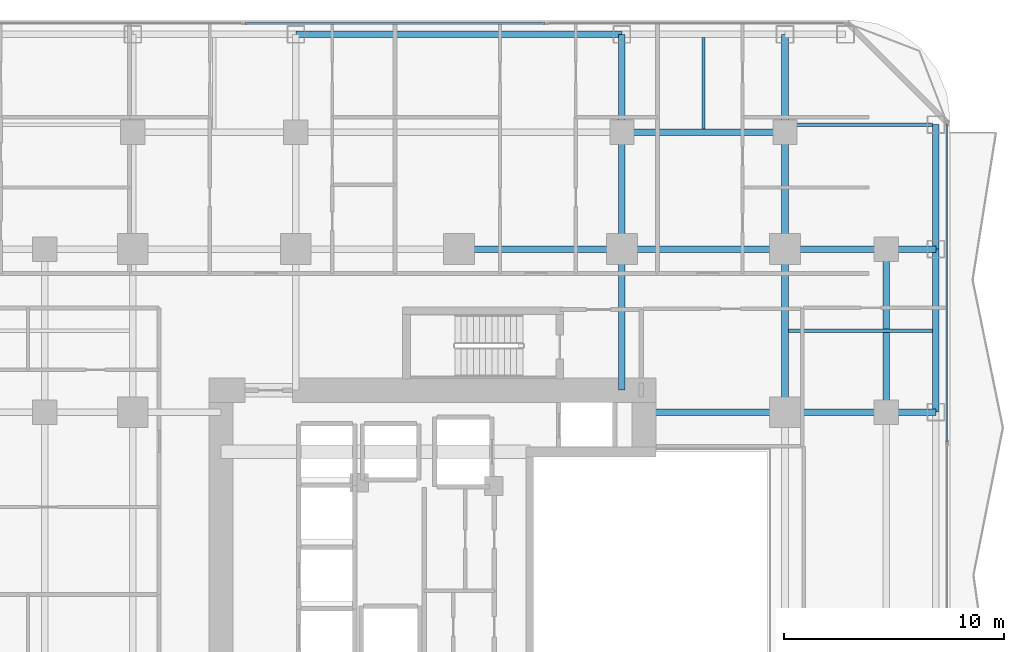
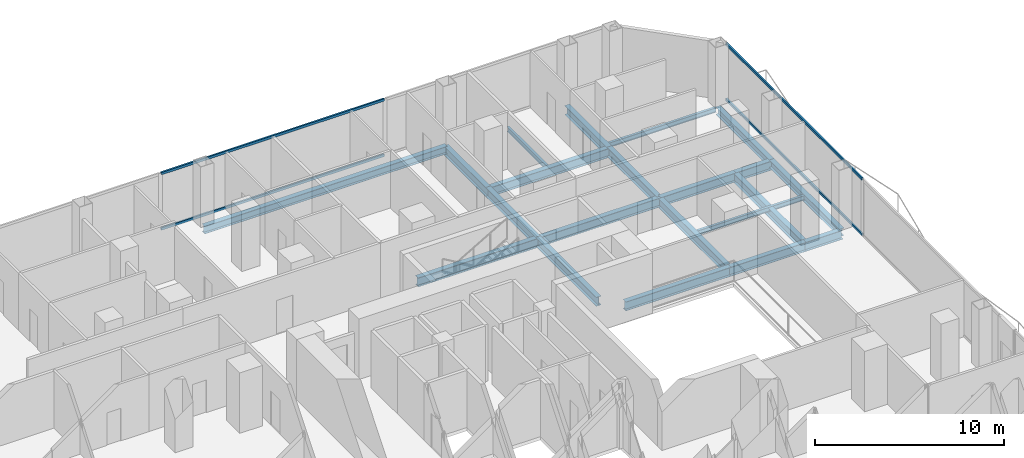
# One storey, part 16 of 29: 21 beams, 4 members, 2 elements without a shape of their own.
"""IFC4 building model written with IfcOpenShell, lengths in metres."""

from ifc_helpers import new_model, si_unit, direction, frame, origin, origin_2d, place, context, subcontext, project, spatial, hollow_rectangle, i_section, extrude, material, layer, layer_set, material_profile, profile_set, type_object, element, aggregate, save


model = new_model("IFC4")

# Units and contexts
model_context = context("Model", 3, precision=1e-05, world=origin(), true_north=direction((0.0, 1.0)))
body_context = subcontext(model_context, "Body", "Model", "MODEL_VIEW")
ifc_project = project(units=[si_unit("LENGTHUNIT", "METRE"), si_unit("AREAUNIT", "SQUARE_METRE"), si_unit("VOLUMEUNIT", "CUBIC_METRE"), si_unit("PLANEANGLEUNIT", "RADIAN"), si_unit("MASSUNIT", "GRAM", prefix="KILO")], contexts=[model_context])

# Site, building, storey
site_placement = place(None, origin())
site = spatial("IfcSite", under=ifc_project, at=site_placement, CompositionType="ELEMENT")
building_placement = place(site_placement, origin())
building = spatial("IfcBuilding", under=site, at=building_placement, Name="Khorvyn Point Tower", CompositionType="ELEMENT")
storey_placement = place(building_placement, frame((0.0, 0.0, 69.60009765625)))
storey = spatial("IfcBuildingStorey", under=building, at=storey_placement, Name="L18", CompositionType="ELEMENT", Elevation=69.60009765625)

# Curtain wall, members
ifc_material_1 = material(Name="Anodised aluminium 6063-T6 and laminated Low-E glass", Category="aluminium")
ifc_layer = layer(ifc_material_1, 0.18994140625)
ifc_layer_set = layer_set([ifc_layer], Name="Stick-Built Finned Residential Curtain Wall CW-SYS-02")
curtain_wall_type = type_object("IfcCurtainWallType", Name="Stick-Built Finned Residential Curtain Wall CW-SYS-02", PredefinedType="NOTDEFINED", material=ifc_layer_set)
curtain_wall_1_placement = place(storey_placement, origin())
curtain_wall_1 = element("IfcCurtainWall", 1, at=curtain_wall_1_placement, inside=storey, type_object=curtain_wall_type, Name="Curtain Wall", PredefinedType="NOTDEFINED")
ifc_material_2 = material(Name="Anodised aluminium 6063-T6", Category="aluminium")
ifc_material_profile_1 = material_profile(ifc_material_2, hollow_rectangle(XDim=0.10009765625, YDim=0.159912109375, WallThickness=0.00439453125, at=origin_2d()))
ifc_profile_set_1 = profile_set([ifc_material_profile_1], Name="Anodised aluminium 6063-T6 ALU-TRN-100x160")
member_type = type_object("IfcMemberType", Name="Anodised Aluminium 6063-T6 Transom ALU-TRN-100x160", PredefinedType="USERDEFINED", material=ifc_profile_set_1)
member_1_placement = place(storey_placement, frame((-9.699951171875, 25.050048828125, 0.0498046875), z_axis=(1.0, 0.0, 0.0), x_axis=(0.0, 1.0, 0.0)))
member_1 = element("IfcMember", 2, at=member_1_placement, type_object=member_type, Name="Transom", ObjectType="TRANSOM", PredefinedType="USERDEFINED", context=body_context, shape_type="SweptSolid", body=[
    extrude(hollow_rectangle(XDim=0.10009765625, YDim=0.159912109375, WallThickness=0.00439453125, at=origin_2d()), origin(), (0.0, 0.0, 1.0), 13.599853515625),
])
member_2_placement = place(storey_placement, frame((-9.699951171875, 25.050048828125, 3.6298828125), z_axis=(1.0, 0.0, 0.0), x_axis=(0.0, 1.0, 0.0)))
member_2 = element("IfcMember", 3, at=member_2_placement, type_object=member_type, Name="Transom", ObjectType="TRANSOM", PredefinedType="USERDEFINED", context=body_context, shape_type="SweptSolid", body=[
    extrude(hollow_rectangle(XDim=0.10009765625, YDim=0.159912109375, WallThickness=0.00439453125, at=origin_2d()), origin(), (0.0, 0.0, 1.0), 13.599853515625),
])
aggregate(curtain_wall_1, [member_1, member_2])

curtain_wall_2_placement = place(storey_placement, origin())
curtain_wall_2 = element("IfcCurtainWall", 4, at=curtain_wall_2_placement, inside=storey, type_object=curtain_wall_type, Name="Curtain Wall", PredefinedType="NOTDEFINED")
member_3_placement = place(storey_placement, frame((22.14990234375, 20.449951171875, 0.0498046875), z_axis=(0.0, -1.0, 0.0), x_axis=(1.0, 0.0, 0.0)))
member_3 = element("IfcMember", 5, at=member_3_placement, type_object=member_type, Name="Transom", ObjectType="TRANSOM", PredefinedType="USERDEFINED", context=body_context, shape_type="SweptSolid", body=[
    extrude(hollow_rectangle(XDim=0.10009765625, YDim=0.159912109375, WallThickness=0.00439453125, at=origin_2d()), origin(), (0.0, 0.0, 1.0), 14.39892578125),
])
member_4_placement = place(storey_placement, frame((22.14990234375, 20.449951171875, 3.6298828125), z_axis=(0.0, -1.0, 0.0), x_axis=(1.0, 0.0, 0.0)))
member_4 = element("IfcMember", 6, at=member_4_placement, type_object=member_type, Name="Transom", ObjectType="TRANSOM", PredefinedType="USERDEFINED", context=body_context, shape_type="SweptSolid", body=[
    extrude(hollow_rectangle(XDim=0.10009765625, YDim=0.159912109375, WallThickness=0.00439453125, at=origin_2d()), origin(), (0.0, 0.0, 1.0), 14.39892578125),
])
aggregate(curtain_wall_2, [member_3, member_4])

# Beams
ifc_material_3 = material(Name="Steel S355", Category="steel")
ifc_material_profile_2 = material_profile(ifc_material_3, i_section(OverallWidth=0.300048828125, OverallDepth=0.587890625, WebThickness=0.011962890625, FlangeThickness=0.02001953125, at=origin_2d()))
ifc_profile_set_2 = profile_set([ifc_material_profile_2], Name="Steel S355 H588x300x12x20")
beam_type_1 = type_object("IfcBeamType", Name="Steel S355 Beam H588x300x12x20", PredefinedType="BEAM", material=ifc_profile_set_2)
beam_1_placement = place(storey_placement, frame((0.0, 14.800048828125, -0.51416015625), z_axis=(1.0, 0.0, 0.0), x_axis=(0.0, 1.0, 0.0)))
element("IfcBeam", 7, at=beam_1_placement, inside=storey, type_object=beam_type_1, Name="Beam", PredefinedType="BEAM", context=body_context, shape_type="SweptSolid", body=[
    extrude(i_section(OverallWidth=0.300048828125, OverallDepth=0.587890625, WebThickness=0.011962890625, FlangeThickness=0.02001953125, at=origin_2d()), origin(), (0.0, 0.0, 1.0), 7.39990234375),
])
beam_2_placement = place(storey_placement, frame((7.39990234375, 14.800048828125, -0.51416015625), z_axis=(1.0, 0.0, 0.0), x_axis=(0.0, 1.0, 0.0)))
element("IfcBeam", 8, at=beam_2_placement, inside=storey, type_object=beam_type_1, Name="Beam", PredefinedType="BEAM", context=body_context, shape_type="SweptSolid", body=[
    extrude(i_section(OverallWidth=0.300048828125, OverallDepth=0.587890625, WebThickness=0.011962890625, FlangeThickness=0.02001953125, at=origin_2d()), origin(), (0.0, 0.0, 1.0), 7.400146484375),
])
beam_3_placement = place(storey_placement, frame((14.800048828125, 14.800048828125, -0.51416015625), z_axis=(1.0, 0.0, 0.0), x_axis=(0.0, 1.0, 0.0)))
element("IfcBeam", 9, at=beam_3_placement, inside=storey, type_object=beam_type_1, Name="Beam", PredefinedType="BEAM", context=body_context, shape_type="SweptSolid", body=[
    extrude(i_section(OverallWidth=0.300048828125, OverallDepth=0.587890625, WebThickness=0.011962890625, FlangeThickness=0.02001953125, at=origin_2d()), origin(), (0.0, 0.0, 1.0), 4.599853515625),
])
beam_4_placement = place(storey_placement, frame((19.39990234375, 14.800048828125, -0.51416015625), z_axis=(1.0, 0.0, 0.0), x_axis=(0.0, 1.0, 0.0)))
element("IfcBeam", 10, at=beam_4_placement, inside=storey, type_object=beam_type_1, Name="Beam", PredefinedType="BEAM", context=body_context, shape_type="SweptSolid", body=[
    extrude(i_section(OverallWidth=0.300048828125, OverallDepth=0.587890625, WebThickness=0.011962890625, FlangeThickness=0.02001953125, at=origin_2d()), origin(), (0.0, 0.0, 1.0), 2.25),
])
beam_5_placement = place(storey_placement, frame((8.39990234375, 7.39990234375, -0.51416015625), z_axis=(1.0, 0.0, 0.0), x_axis=(0.0, 1.0, 0.0)))
element("IfcBeam", 11, at=beam_5_placement, inside=storey, type_object=beam_type_1, Name="Beam", PredefinedType="BEAM", context=body_context, shape_type="SweptSolid", body=[
    extrude(i_section(OverallWidth=0.300048828125, OverallDepth=0.587890625, WebThickness=0.011962890625, FlangeThickness=0.02001953125, at=origin_2d()), origin(), (0.0, 0.0, 1.0), 6.400146484375),
])
beam_6_placement = place(storey_placement, frame((14.800048828125, 7.39990234375, -0.51416015625), z_axis=(1.0, 0.0, 0.0), x_axis=(0.0, 1.0, 0.0)))
element("IfcBeam", 12, at=beam_6_placement, inside=storey, type_object=beam_type_1, Name="Beam", PredefinedType="BEAM", context=body_context, shape_type="SweptSolid", body=[
    extrude(i_section(OverallWidth=0.300048828125, OverallDepth=0.587890625, WebThickness=0.011962890625, FlangeThickness=0.02001953125, at=origin_2d()), origin(), (0.0, 0.0, 1.0), 4.599853515625),
])
beam_7_placement = place(storey_placement, frame((19.39990234375, 7.39990234375, -0.51416015625), z_axis=(1.0, 0.0, 0.0), x_axis=(0.0, 1.0, 0.0)))
element("IfcBeam", 13, at=beam_7_placement, inside=storey, type_object=beam_type_1, Name="Beam", PredefinedType="BEAM", context=body_context, shape_type="SweptSolid", body=[
    extrude(i_section(OverallWidth=0.300048828125, OverallDepth=0.587890625, WebThickness=0.011962890625, FlangeThickness=0.02001953125, at=origin_2d()), origin(), (0.0, 0.0, 1.0), 2.25),
])
for number, where, z_axis, x_axis, name in (
    (14, (7.39990234375, 20.10009765625, -0.51416015625), (1.0, 0.0, 0.0), (0.0, 1.0, 0.0), "Beam"),
    (15, (14.800048828125, 7.39990234375, -0.51416015625), (0.0, 1.0, 0.0), (-1.0, 0.0, 0.0), "Beam"),
):
    element("IfcBeam", number, at=place(storey_placement, frame(where, z_axis=z_axis, x_axis=x_axis)), inside=storey, type_object=beam_type_1, Name=name, PredefinedType="BEAM", context=body_context, shape_type="SweptSolid", body=[
        extrude(i_section(OverallWidth=0.300048828125, OverallDepth=0.587890625, WebThickness=0.011962890625, FlangeThickness=0.02001953125, at=origin_2d()), origin(), (0.0, 0.0, 1.0), 7.400146484375),
    ])
beam_8_placement = place(storey_placement, frame((14.800048828125, 14.800048828125, -0.51416015625), z_axis=(0.0, 1.0, 0.0), x_axis=(-1.0, 0.0, 0.0)))
element("IfcBeam", 16, at=beam_8_placement, inside=storey, type_object=beam_type_1, Name="Beam", PredefinedType="BEAM", context=body_context, shape_type="SweptSolid", body=[
    extrude(i_section(OverallWidth=0.300048828125, OverallDepth=0.587890625, WebThickness=0.011962890625, FlangeThickness=0.02001953125, at=origin_2d()), origin(), (0.0, 0.0, 1.0), 5.300048828125),
])
beam_9_placement = place(storey_placement, frame((14.800048828125, 20.10009765625, -0.51416015625), z_axis=(0.0, 1.0, 0.0), x_axis=(-1.0, 0.0, 0.0)))
element("IfcBeam", 17, at=beam_9_placement, inside=storey, type_object=beam_type_1, Name="Beam", PredefinedType="BEAM", context=body_context, shape_type="SweptSolid", body=[
    extrude(i_section(OverallWidth=0.300048828125, OverallDepth=0.587890625, WebThickness=0.011962890625, FlangeThickness=0.02001953125, at=origin_2d()), origin(), (0.0, 0.0, 1.0), 4.449951171875),
])
beam_10_placement = place(storey_placement, frame((7.39990234375, 8.39990234375, -0.51416015625), z_axis=(0.0, 1.0, 0.0), x_axis=(-1.0, 0.0, 0.0)))
element("IfcBeam", 18, at=beam_10_placement, inside=storey, type_object=beam_type_1, Name="Beam", PredefinedType="BEAM", context=body_context, shape_type="SweptSolid", body=[
    extrude(i_section(OverallWidth=0.300048828125, OverallDepth=0.587890625, WebThickness=0.011962890625, FlangeThickness=0.02001953125, at=origin_2d()), origin(), (0.0, 0.0, 1.0), 6.400146484375),
])
beam_11_placement = place(storey_placement, frame((7.39990234375, 14.800048828125, -0.51416015625), z_axis=(0.0, 1.0, 0.0), x_axis=(-1.0, 0.0, 0.0)))
element("IfcBeam", 19, at=beam_11_placement, inside=storey, type_object=beam_type_1, Name="Beam", PredefinedType="BEAM", context=body_context, shape_type="SweptSolid", body=[
    extrude(i_section(OverallWidth=0.300048828125, OverallDepth=0.587890625, WebThickness=0.011962890625, FlangeThickness=0.02001953125, at=origin_2d()), origin(), (0.0, 0.0, 1.0), 5.300048828125),
])
beam_12_placement = place(storey_placement, frame((7.39990234375, 20.10009765625, -0.51416015625), z_axis=(0.0, 1.0, 0.0), x_axis=(-1.0, 0.0, 0.0)))
element("IfcBeam", 20, at=beam_12_placement, inside=storey, type_object=beam_type_1, Name="Beam", PredefinedType="BEAM", context=body_context, shape_type="SweptSolid", body=[
    extrude(i_section(OverallWidth=0.300048828125, OverallDepth=0.587890625, WebThickness=0.011962890625, FlangeThickness=0.02001953125, at=origin_2d()), origin(), (0.0, 0.0, 1.0), 4.449951171875),
])
beam_13_placement = place(storey_placement, frame((19.39990234375, 7.39990234375, -0.51416015625), z_axis=(0.0, 1.0, 0.0), x_axis=(-1.0, 0.0, 0.0)))
element("IfcBeam", 21, at=beam_13_placement, inside=storey, type_object=beam_type_1, Name="Beam", PredefinedType="BEAM", context=body_context, shape_type="SweptSolid", body=[
    extrude(i_section(OverallWidth=0.300048828125, OverallDepth=0.587890625, WebThickness=0.011962890625, FlangeThickness=0.02001953125, at=origin_2d()), origin(), (0.0, 0.0, 1.0), 7.400146484375),
])
ifc_material_profile_3 = material_profile(ifc_material_3, i_section(OverallWidth=0.14990234375, OverallDepth=0.300048828125, WebThickness=0.006591796875, FlangeThickness=0.009033203125, at=origin_2d()))
ifc_profile_set_3 = profile_set([ifc_material_profile_3], Name="Steel S355 H300x150x6.5x9")
beam_type_2 = type_object("IfcBeamType", Name="Steel S355 Joist H300x150x6.5x9", PredefinedType="JOIST", material=ifc_profile_set_3)
beam_14_placement = place(storey_placement, frame((14.949951171875, 11.10009765625, -0.3701171875), z_axis=(1.0, 0.0, 0.0), x_axis=(0.0, 1.0, 0.0)))
element("IfcBeam", 22, at=beam_14_placement, inside=storey, type_object=beam_type_2, Name="Beam", PredefinedType="JOIST", context=body_context, shape_type="SweptSolid", body=[
    extrude(i_section(OverallWidth=0.14990234375, OverallDepth=0.300048828125, WebThickness=0.006591796875, FlangeThickness=0.009033203125, at=origin_2d()), origin(), (0.0, 0.0, 1.0), 6.550048828125),
])
beam_15_placement = place(storey_placement, frame((11.10009765625, 20.25, -0.3701171875), z_axis=(0.0, 1.0, 0.0), x_axis=(-1.0, 0.0, 0.0)))
element("IfcBeam", 23, at=beam_15_placement, inside=storey, type_object=beam_type_2, Name="Beam", PredefinedType="JOIST", context=body_context, shape_type="SweptSolid", body=[
    extrude(i_section(OverallWidth=0.14990234375, OverallDepth=0.300048828125, WebThickness=0.006591796875, FlangeThickness=0.009033203125, at=origin_2d()), origin(), (0.0, 0.0, 1.0), 4.14990234375),
])
beam_16_placement = place(storey_placement, frame((14.949951171875, 20.449951171875, -0.3701171875), z_axis=(1.0, 0.0, 0.0), x_axis=(0.0, 1.0, 0.0)))
element("IfcBeam", 24, at=beam_16_placement, inside=storey, type_object=beam_type_2, Name="Beam", PredefinedType="JOIST", context=body_context, shape_type="SweptSolid", body=[
    extrude(i_section(OverallWidth=0.14990234375, OverallDepth=0.300048828125, WebThickness=0.006591796875, FlangeThickness=0.009033203125, at=origin_2d()), origin(), (0.0, 0.0, 1.0), 6.550048828125),
])
ifc_material_profile_4 = material_profile(ifc_material_3, i_section(OverallWidth=0.300048828125, OverallDepth=0.488037109375, WebThickness=0.010986328125, FlangeThickness=0.01806640625, at=origin_2d()))
ifc_profile_set_4 = profile_set([ifc_material_profile_4], Name="Steel S355 H488x300x11x18")
beam_type_3 = type_object("IfcBeamType", Name="Steel S355 Spandrel H488x300x11x18", PredefinedType="SPANDREL", material=ifc_profile_set_4)
beam_17_placement = place(storey_placement, frame((-7.39990234375, 24.550048828125, -0.464111328125), z_axis=(1.0, 0.0, 0.0), x_axis=(0.0, 1.0, 0.0)))
element("IfcBeam", 25, at=beam_17_placement, inside=storey, type_object=beam_type_3, Name="Beam", PredefinedType="SPANDREL", context=body_context, shape_type="SweptSolid", body=[
    extrude(i_section(OverallWidth=0.300048828125, OverallDepth=0.488037109375, WebThickness=0.010986328125, FlangeThickness=0.01806640625, at=origin_2d()), origin(), (0.0, 0.0, 1.0), 14.7998046875),
])
beam_18_placement = place(storey_placement, frame((21.64990234375, 7.39990234375, -0.464111328125), z_axis=(0.0, 1.0, 0.0), x_axis=(-1.0, 0.0, 0.0)))
element("IfcBeam", 26, at=beam_18_placement, inside=storey, type_object=beam_type_3, Name="Beam", PredefinedType="SPANDREL", context=body_context, shape_type="SweptSolid", body=[
    extrude(i_section(OverallWidth=0.300048828125, OverallDepth=0.488037109375, WebThickness=0.010986328125, FlangeThickness=0.01806640625, at=origin_2d()), origin(), (0.0, 0.0, 1.0), 7.400146484375),
])
beam_19_placement = place(storey_placement, frame((21.64990234375, 14.800048828125, -0.464111328125), z_axis=(0.0, 1.0, 0.0), x_axis=(-1.0, 0.0, 0.0)))
element("IfcBeam", 27, at=beam_19_placement, inside=storey, type_object=beam_type_3, Name="Beam", PredefinedType="SPANDREL", context=body_context, shape_type="SweptSolid", body=[
    extrude(i_section(OverallWidth=0.300048828125, OverallDepth=0.488037109375, WebThickness=0.010986328125, FlangeThickness=0.01806640625, at=origin_2d()), origin(), (0.0, 0.0, 1.0), 5.64990234375),
])

save(model, "model.ifc")
